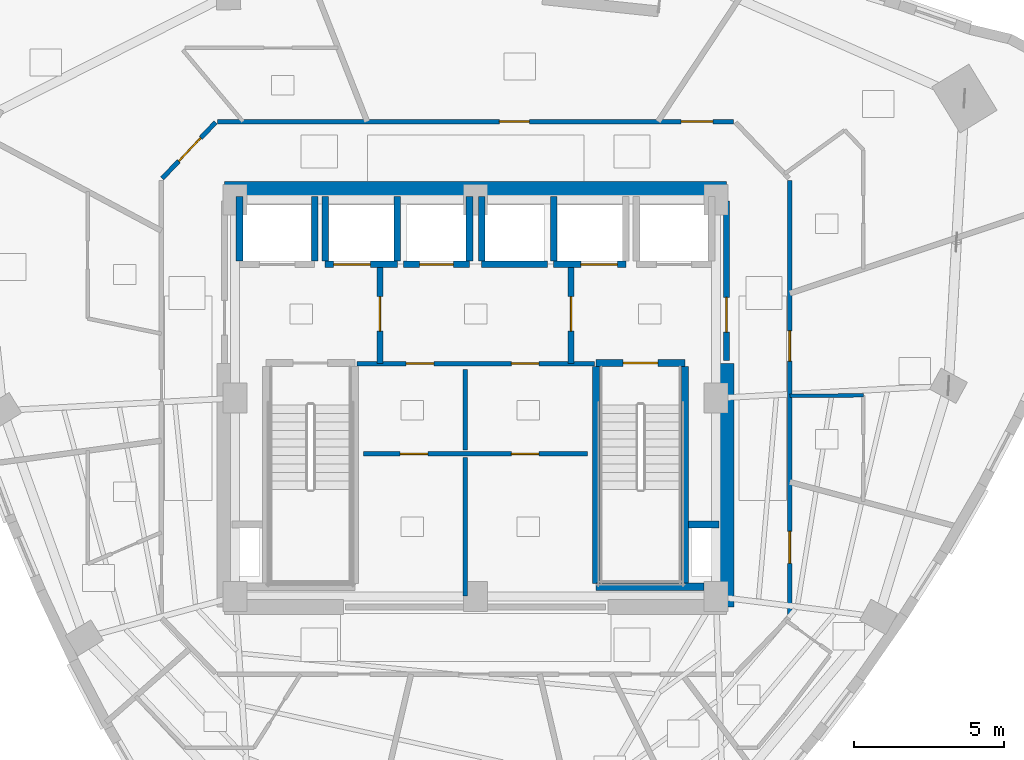
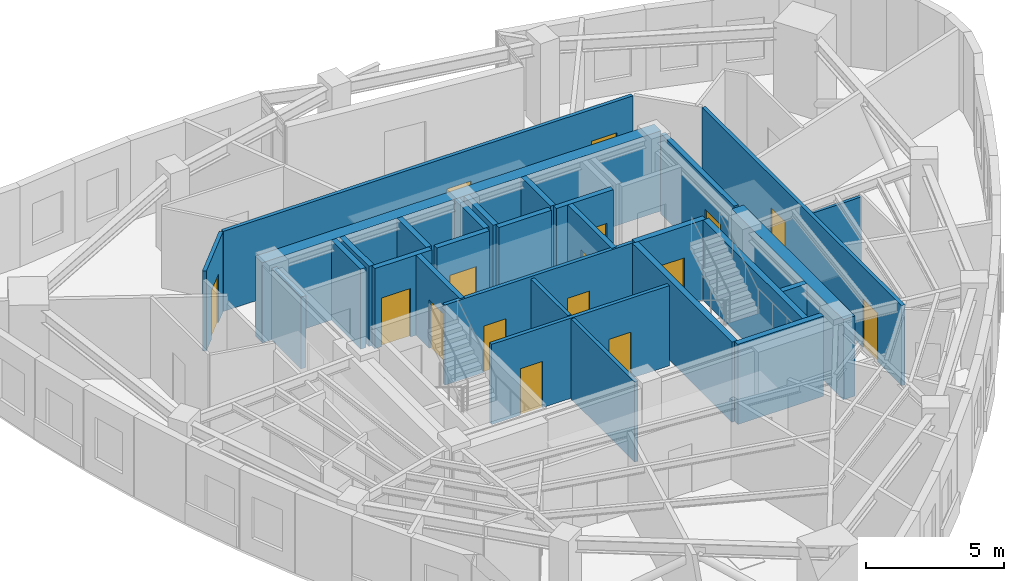
# One storey, part 7 of 12: 29 walls, 16 doors, 16 openings.
"""IFC4 building model written with IfcOpenShell, lengths in metres."""

from ifc_helpers import new_model, si_unit, direction, frame, frame_2d, origin, place, context, subcontext, project, spatial, rectangle, extrude, material, layer, layer_set, type_object, element, fill, save


model = new_model("IFC4")

# Units and contexts
model_context = context("Model", 3, precision=1e-05, world=origin(), true_north=direction((0.0, 1.0)))
body_context = subcontext(model_context, "Body", "Model", "MODEL_VIEW")
ifc_project = project(units=[si_unit("LENGTHUNIT", "METRE"), si_unit("AREAUNIT", "SQUARE_METRE"), si_unit("VOLUMEUNIT", "CUBIC_METRE"), si_unit("PLANEANGLEUNIT", "RADIAN"), si_unit("MASSUNIT", "GRAM", prefix="KILO")], contexts=[model_context])

# Site, building, storey
site_placement = place(None, origin())
site = spatial("IfcSite", under=ifc_project, at=site_placement, CompositionType="ELEMENT")
building_placement = place(site_placement, origin())
building = spatial("IfcBuilding", under=site, at=building_placement, Name="Ndelora Gate Hotel", CompositionType="ELEMENT")
storey_placement = place(building_placement, frame((0.0, 0.0, 190.35009765625)))
storey = spatial("IfcBuildingStorey", under=building, at=storey_placement, Name="L47", CompositionType="ELEMENT", Elevation=190.35009765625)

# Walls
ifc_material_1 = material(Name="Concrete C50/60", Category="concrete")
ifc_layer_1 = layer(ifc_material_1, 0.5)
ifc_layer_set_1 = layer_set([ifc_layer_1], Name="Concrete C50/60")
wall_type_1 = type_object("IfcWallType", Name="WL-CORE-500", PredefinedType="SHEAR", material=ifc_layer_set_1)
wall_1_placement = place(storey_placement, frame((-8.35009765625, 6.949951171875, 0.0), z_axis=(0.0, 0.0, 1.0), x_axis=(1.0, 0.0, 0.0)))
element("IfcWall", 1, at=wall_1_placement, inside=storey, type_object=wall_type_1, Name="L47 Core Shear Wall N", PredefinedType="SHEAR", context=body_context, shape_type="SweptSolid", body=[
    extrude(rectangle(XDim=16.7001953125, YDim=0.5, at=frame_2d((8.35009765625, 0.0))), origin(), (0.0, 0.0, 1.0), 3.5498046875),
])
wall_2_placement = place(storey_placement, frame((8.35009765625, -6.949951171875, 0.0), z_axis=(0.0, 0.0, 1.0), x_axis=(0.0, 1.0, 0.0)))
element("IfcWall", 2, at=wall_2_placement, inside=storey, type_object=wall_type_1, Name="L47 Core Shear Wall E", PredefinedType="SHEAR", context=body_context, shape_type="SweptSolid", body=[
    extrude(rectangle(XDim=8.099853515625, YDim=0.5, at=frame_2d((4.0498046875, 0.0))), origin(), (0.0, 0.0, 1.0), 3.5498046875),
])

# Wall, opening, door
ifc_material_2 = material(Name="Concrete C40/50", Category="concrete")
ifc_layer_2 = layer(ifc_material_2, 0.199951171875)
ifc_layer_set_2 = layer_set([ifc_layer_2], Name="Concrete C40/50")
wall_type_2 = type_object("IfcWallType", Name="WL-FIRE-200", PredefinedType="PARTITIONING", material=ifc_layer_set_2)
wall_3_placement = place(storey_placement, frame((-3.179931640625, 1.14990234375, 0.0), z_axis=(0.0, 0.0, 1.0), x_axis=(0.0, 1.0, 0.0)))
wall_3 = element("IfcWall", 3, at=wall_3_placement, inside=storey, type_object=wall_type_2, Name="L47 Interior Wall IW-2", PredefinedType="PARTITIONING", context=body_context, shape_type="SweptSolid", body=[
    extrude(rectangle(XDim=3.300048828125, YDim=0.199951171875, at=frame_2d((1.64990234375, 0.0))), origin(), (0.0, 0.0, 1.0), 3.5498046875),
])
opening_1_placement = place(wall_3_placement, frame((1.080078125, 0.0, 0.0)))
opening_1 = element("IfcOpeningElement", 4, at=opening_1_placement, cuts=wall_3, Name="Opening FD1", PredefinedType="OPENING", context=body_context, shape_type="SweptSolid", body=[
    extrude(rectangle(XDim=1.14990234375, YDim=2.14990234375, at=frame_2d((0.574951171875, 1.074951171875))), frame((0.0, 0.10986328125, 0.0), z_axis=(0.0, -1.0, 0.0), x_axis=(1.0, 0.0, 0.0)), (0.0, 0.0, 1.0), 0.219970703125),
])
ifc_material_3 = material(Name="Fire-Rated Timber-Veneer Steel Core", Category="steel")
door_type_1 = type_object("IfcDoorType", Name="DR-FD60", OperationType="SINGLE_SWING_LEFT", PredefinedType="DOOR", material=ifc_material_3)
door_1_placement = place(opening_1_placement, origin())
door_1 = element("IfcDoor", 5, at=door_1_placement, inside=storey, type_object=door_type_1, Name="L47 Firefighting Lobby West Door", OperationType="SINGLE_SWING_RIGHT", OverallHeight=2.14990234375, OverallWidth=1.14990234375, PredefinedType="DOOR", context=body_context, shape_type="SweptSolid", body=[
    extrude(rectangle(XDim=1.14990234375, YDim=2.14990234375, at=frame_2d((0.574951171875, 1.074951171875))), frame((0.0, 0.02490234375, 0.0), z_axis=(0.0, -1.0, 0.0), x_axis=(1.0, 0.0, 0.0)), (0.0, 0.0, 1.0), 0.050048828125),
])
fill(opening_1, door_1)

wall_4_placement = place(storey_placement, frame((3.179931640625, 1.14990234375, 0.0), z_axis=(0.0, 0.0, 1.0), x_axis=(0.0, 1.0, 0.0)))
wall_4 = element("IfcWall", 6, at=wall_4_placement, inside=storey, type_object=wall_type_2, Name="L47 Interior Wall IW-2", PredefinedType="PARTITIONING", context=body_context, shape_type="SweptSolid", body=[
    extrude(rectangle(XDim=3.300048828125, YDim=0.199951171875, at=frame_2d((1.64990234375, 0.0))), origin(), (0.0, 0.0, 1.0), 3.5498046875),
])
opening_2_placement = place(wall_4_placement, frame((1.080078125, 0.0, 0.0)))
opening_2 = element("IfcOpeningElement", 7, at=opening_2_placement, cuts=wall_4, Name="Opening FD1", PredefinedType="OPENING", context=body_context, shape_type="SweptSolid", body=[
    extrude(rectangle(XDim=1.14990234375, YDim=2.14990234375, at=frame_2d((0.574951171875, 1.074951171875))), frame((0.0, 0.10986328125, 0.0), z_axis=(0.0, -1.0, 0.0), x_axis=(1.0, 0.0, 0.0)), (0.0, 0.0, 1.0), 0.219970703125),
])
door_2_placement = place(opening_2_placement, origin())
door_2 = element("IfcDoor", 8, at=door_2_placement, inside=storey, type_object=door_type_1, Name="L47 Firefighting Lobby East Door", OperationType="SINGLE_SWING_LEFT", OverallHeight=2.14990234375, OverallWidth=1.14990234375, PredefinedType="DOOR", context=body_context, shape_type="SweptSolid", body=[
    extrude(rectangle(XDim=1.14990234375, YDim=2.14990234375, at=frame_2d((0.574951171875, 1.074951171875))), frame((0.0, 0.02490234375, 0.0), z_axis=(0.0, -1.0, 0.0), x_axis=(1.0, 0.0, 0.0)), (0.0, 0.0, 1.0), 0.050048828125),
])
fill(opening_2, door_2)

wall_5_placement = place(storey_placement, frame((8.35009765625, 1.25, 0.0), z_axis=(0.0, 0.0, 1.0), x_axis=(0.0, 1.0, 0.0)))
wall_5 = element("IfcWall", 9, at=wall_5_placement, inside=storey, type_object=wall_type_2, Name="L47 Interior Wall IW-2", PredefinedType="PARTITIONING", context=body_context, shape_type="SweptSolid", body=[
    extrude(rectangle(XDim=5.300048828125, YDim=0.199951171875, at=frame_2d((2.64990234375, 0.0))), origin(), (0.0, 0.0, 1.0), 3.5498046875),
])
opening_3_placement = place(wall_5_placement, frame((0.949951171875, 0.0, 0.0)))
opening_3 = element("IfcOpeningElement", 10, at=opening_3_placement, cuts=wall_5, Name="Opening FD1", PredefinedType="OPENING", context=body_context, shape_type="SweptSolid", body=[
    extrude(rectangle(XDim=1.14990234375, YDim=2.14990234375, at=frame_2d((0.574951171875, 1.074951171875))), frame((0.0, 0.10986328125, 0.0), z_axis=(0.0, -1.0, 0.0), x_axis=(1.0, 0.0, 0.0)), (0.0, 0.0, 1.0), 0.219970703125),
])
door_3_placement = place(opening_3_placement, origin())
door_3 = element("IfcDoor", 11, at=door_3_placement, inside=storey, type_object=door_type_1, Name="L47 Firefighting Lobby East Corridor Door", OperationType="SINGLE_SWING_RIGHT", OverallHeight=2.14990234375, OverallWidth=1.14990234375, PredefinedType="DOOR", context=body_context, shape_type="SweptSolid", body=[
    extrude(rectangle(XDim=1.14990234375, YDim=2.14990234375, at=frame_2d((0.574951171875, 1.074951171875))), frame((0.0, 0.02490234375, 0.0), z_axis=(0.0, -1.0, 0.0), x_axis=(1.0, 0.0, 0.0)), (0.0, 0.0, 1.0), 0.050048828125),
])
fill(opening_3, door_3)

# Wall, openings, doors
ifc_material_4 = material(Name="Fire-Rated Gypsum Stud Partition", Category="gypsum")
ifc_layer_3 = layer(ifc_material_4, 0.14990234375)
ifc_layer_set_3 = layer_set([ifc_layer_3], Name="Fire-Rated Gypsum Stud Partition")
wall_type_3 = type_object("IfcWallType", Name="WL-PART-150", PredefinedType="PARTITIONING", material=ifc_layer_set_3)
wall_6_placement = place(storey_placement, frame((3.949951171875, 1.14990234375, 0.0), z_axis=(0.0, 0.0, 1.0), x_axis=(-1.0, 0.0, 0.0)))
wall_6 = element("IfcWall", 12, at=wall_6_placement, inside=storey, type_object=wall_type_3, Name="L47 Interior Wall IW-5", PredefinedType="PARTITIONING", context=body_context, shape_type="SweptSolid", body=[
    extrude(rectangle(XDim=7.89990234375, YDim=0.14990234375, at=frame_2d((3.949951171875, 0.0))), origin(), (0.0, 0.0, 1.0), 3.5498046875),
])
opening_4_placement = place(wall_6_placement, frame((5.340087890625, 0.0, 0.0)))
opening_4 = element("IfcOpeningElement", 13, at=opening_4_placement, cuts=wall_6, Name="Opening D04", PredefinedType="OPENING", context=body_context, shape_type="SweptSolid", body=[
    extrude(rectangle(XDim=0.919921875, YDim=2.050048828125, at=frame_2d((0.4599609375, 1.02490234375))), frame((0.0, 0.0849609375, 0.0), z_axis=(0.0, -1.0, 0.0), x_axis=(1.0, 0.0, 0.0)), (0.0, 0.0, 1.0), 0.169921875),
])
opening_5_placement = place(wall_6_placement, frame((1.840087890625, 0.0, 0.0)))
opening_5 = element("IfcOpeningElement", 14, at=opening_5_placement, cuts=wall_6, Name="Opening D04", PredefinedType="OPENING", context=body_context, shape_type="SweptSolid", body=[
    extrude(rectangle(XDim=0.919921875, YDim=2.050048828125, at=frame_2d((0.4599609375, 1.02490234375))), frame((0.0, 0.0849609375, 0.0), z_axis=(0.0, -1.0, 0.0), x_axis=(1.0, 0.0, 0.0)), (0.0, 0.0, 1.0), 0.169921875),
])
ifc_material_5 = material(Name="Painted Steel Core Service Door", Category="steel")
door_type_2 = type_object("IfcDoorType", Name="DR-SER-920", OperationType="SINGLE_SWING_LEFT", PredefinedType="DOOR", material=ifc_material_5)
door_4_placement = place(opening_4_placement, origin())
door_4 = element("IfcDoor", 15, at=door_4_placement, inside=storey, type_object=door_type_2, Name="L47 Core Electrical Closet Door", OperationType="SINGLE_SWING_LEFT", OverallHeight=2.050048828125, OverallWidth=0.919921875, PredefinedType="DOOR", context=body_context, shape_type="SweptSolid", body=[
    extrude(rectangle(XDim=0.919921875, YDim=2.050048828125, at=frame_2d((0.4599609375, 1.02490234375))), frame((0.0, 0.02490234375, 0.0), z_axis=(0.0, -1.0, 0.0), x_axis=(1.0, 0.0, 0.0)), (0.0, 0.0, 1.0), 0.050048828125),
])
fill(opening_4, door_4)
door_5_placement = place(opening_5_placement, origin())
door_5 = element("IfcDoor", 16, at=door_5_placement, inside=storey, type_object=door_type_2, Name="L47 Comms Patching Store Door", OperationType="SINGLE_SWING_RIGHT", OverallHeight=2.050048828125, OverallWidth=0.919921875, PredefinedType="DOOR", context=body_context, shape_type="SweptSolid", body=[
    extrude(rectangle(XDim=0.919921875, YDim=2.050048828125, at=frame_2d((0.4599609375, 1.02490234375))), frame((0.0, 0.02490234375, 0.0), z_axis=(0.0, -1.0, 0.0), x_axis=(1.0, 0.0, 0.0)), (0.0, 0.0, 1.0), 0.050048828125),
])
fill(opening_5, door_5)

wall_7_placement = place(storey_placement, frame((-3.719970703125, -1.85009765625, 0.0), z_axis=(0.0, 0.0, 1.0), x_axis=(1.0, 0.0, 0.0)))
wall_7 = element("IfcWall", 17, at=wall_7_placement, inside=storey, type_object=wall_type_3, Name="L47 Interior Wall IW-5", PredefinedType="PARTITIONING", context=body_context, shape_type="SweptSolid", body=[
    extrude(rectangle(XDim=7.43994140625, YDim=0.14990234375, at=frame_2d((3.719970703125, 0.0))), origin(), (0.0, 0.0, 1.0), 3.5498046875),
])
opening_6_placement = place(wall_7_placement, frame((1.2099609375, 0.0, 0.0)))
opening_6 = element("IfcOpeningElement", 18, at=opening_6_placement, cuts=wall_7, Name="Opening D04", PredefinedType="OPENING", context=body_context, shape_type="SweptSolid", body=[
    extrude(rectangle(XDim=0.919921875, YDim=2.050048828125, at=frame_2d((0.4599609375, 1.02490234375))), frame((0.0, 0.0849609375, 0.0), z_axis=(0.0, -1.0, 0.0), x_axis=(1.0, 0.0, 0.0)), (0.0, 0.0, 1.0), 0.169921875),
])
opening_7_placement = place(wall_7_placement, frame((4.909912109375, 0.0, 0.0)))
opening_7 = element("IfcOpeningElement", 19, at=opening_7_placement, cuts=wall_7, Name="Opening D04", PredefinedType="OPENING", context=body_context, shape_type="SweptSolid", body=[
    extrude(rectangle(XDim=0.919921875, YDim=2.050048828125, at=frame_2d((0.4599609375, 1.02490234375))), frame((0.0, 0.0849609375, 0.0), z_axis=(0.0, -1.0, 0.0), x_axis=(1.0, 0.0, 0.0)), (0.0, 0.0, 1.0), 0.169921875),
])
door_6_placement = place(opening_6_placement, origin())
door_6 = element("IfcDoor", 20, at=door_6_placement, inside=storey, type_object=door_type_2, Name="L47 Core Service Internal Door", OperationType="SINGLE_SWING_LEFT", OverallHeight=2.050048828125, OverallWidth=0.919921875, PredefinedType="DOOR", context=body_context, shape_type="SweptSolid", body=[
    extrude(rectangle(XDim=0.919921875, YDim=2.050048828125, at=frame_2d((0.4599609375, 1.02490234375))), frame((0.0, 0.02490234375, 0.0), z_axis=(0.0, -1.0, 0.0), x_axis=(1.0, 0.0, 0.0)), (0.0, 0.0, 1.0), 0.050048828125),
])
fill(opening_6, door_6)
door_7_placement = place(opening_7_placement, origin())
door_7 = element("IfcDoor", 21, at=door_7_placement, inside=storey, type_object=door_type_2, Name="L47 Core Service Internal Door", OperationType="SINGLE_SWING_LEFT", OverallHeight=2.050048828125, OverallWidth=0.919921875, PredefinedType="DOOR", context=body_context, shape_type="SweptSolid", body=[
    extrude(rectangle(XDim=0.919921875, YDim=2.050048828125, at=frame_2d((0.4599609375, 1.02490234375))), frame((0.0, 0.02490234375, 0.0), z_axis=(0.0, -1.0, 0.0), x_axis=(1.0, 0.0, 0.0)), (0.0, 0.0, 1.0), 0.050048828125),
])
fill(opening_7, door_7)

# Walls
wall_8_placement = place(storey_placement, frame((-0.35009765625, -6.580078125, 0.0), z_axis=(0.0, 0.0, 1.0), x_axis=(0.0, 1.0, 0.0)))
element("IfcWall", 22, at=wall_8_placement, inside=storey, type_object=wall_type_3, Name="L47 Interior Wall IW-5", PredefinedType="PARTITIONING", context=body_context, shape_type="SweptSolid", body=[
    extrude(rectangle(XDim=4.610107421875, YDim=0.14990234375, at=frame_2d((2.30517578125, 0.0))), origin(), (0.0, 0.0, 1.0), 3.5498046875),
])
wall_9_placement = place(storey_placement, frame((-0.35009765625, -1.72998046875, 0.0), z_axis=(0.0, 0.0, 1.0), x_axis=(0.0, 1.0, 0.0)))
element("IfcWall", 23, at=wall_9_placement, inside=storey, type_object=wall_type_3, Name="L47 Interior Wall IW-5", PredefinedType="PARTITIONING", context=body_context, shape_type="SweptSolid", body=[
    extrude(rectangle(XDim=2.679931640625, YDim=0.14990234375, at=frame_2d((1.33984375, 0.0))), origin(), (0.0, 0.0, 1.0), 3.5498046875),
])

# Wall, openings, doors
wall_10_placement = place(storey_placement, frame((10.449951171875, 7.239990234375, 0.0), z_axis=(0.0, 0.0, 1.0), x_axis=(0.0, -1.0, 0.0)))
wall_10 = element("IfcWall", 24, at=wall_10_placement, inside=storey, type_object=wall_type_3, Name="L47 Interior Wall IW-5", PredefinedType="PARTITIONING", context=body_context, shape_type="SweptSolid", body=[
    extrude(rectangle(XDim=14.47998046875, YDim=0.14990234375, at=frame_2d((7.239990234375, 0.0))), origin(), (0.0, 0.0, 1.0), 3.5498046875),
])
opening_8_placement = place(wall_10_placement, frame((11.67431640625, 0.0, 0.0)))
opening_8 = element("IfcOpeningElement", 25, at=opening_8_placement, cuts=wall_10, Name="Opening D07", PredefinedType="OPENING", context=body_context, shape_type="SweptSolid", body=[
    extrude(rectangle(XDim=1.06005859375, YDim=2.14990234375, at=frame_2d((0.530029296875, 1.074951171875))), frame((0.0, 0.0849609375, 0.0), z_axis=(0.0, -1.0, 0.0), x_axis=(1.0, 0.0, 0.0)), (0.0, 0.0, 1.0), 0.169921875),
])
opening_9_placement = place(wall_10_placement, frame((5.005615234375, 0.0, 0.0)))
opening_9 = element("IfcOpeningElement", 26, at=opening_9_placement, cuts=wall_10, Name="Opening D01", PredefinedType="OPENING", context=body_context, shape_type="SweptSolid", body=[
    extrude(rectangle(XDim=1.0, YDim=2.14990234375, at=frame_2d((0.5, 1.074951171875))), frame((0.0, 0.0849609375, 0.0), z_axis=(0.0, -1.0, 0.0), x_axis=(1.0, 0.0, 0.0)), (0.0, 0.0, 1.0), 0.169921875),
])
ifc_material_6 = material(Name="Acoustic Hardwood Guest Entrance Door", Category="wood")
door_type_3 = type_object("IfcDoorType", Name="DR-COR-1000", OperationType="SINGLE_SWING_LEFT", PredefinedType="DOOR", material=ifc_material_6)
door_8_placement = place(opening_9_placement, origin())
door_8 = element("IfcDoor", 27, at=door_8_placement, inside=storey, type_object=door_type_3, Name="L47 Altitude King Guest Room 5002 Entrance Door", OperationType="SINGLE_SWING_LEFT", OverallHeight=2.14990234375, OverallWidth=1.0, PredefinedType="DOOR", context=body_context, shape_type="SweptSolid", body=[
    extrude(rectangle(XDim=1.0, YDim=2.14990234375, at=frame_2d((0.5, 1.074951171875))), frame((0.0, 0.02490234375, 0.0), z_axis=(0.0, -1.0, 0.0), x_axis=(1.0, 0.0, 0.0)), (0.0, 0.0, 1.0), 0.050048828125),
])
fill(opening_9, door_8)
ifc_material_7 = material(Name="Diplomatic Suite Acoustic Entrance Door", Category="wood")
door_type_4 = type_object("IfcDoorType", Name="DR-SUITE-1060", OperationType="SINGLE_SWING_LEFT", PredefinedType="DOOR", material=ifc_material_7)
door_9_placement = place(opening_8_placement, origin())
door_9 = element("IfcDoor", 28, at=door_9_placement, inside=storey, type_object=door_type_4, Name="L47 Panoramic Horizon Suite 5001 Entrance Door", OperationType="SINGLE_SWING_LEFT", OverallHeight=2.14990234375, OverallWidth=1.06005859375, PredefinedType="DOOR", context=body_context, shape_type="SweptSolid", body=[
    extrude(rectangle(XDim=1.06005859375, YDim=2.14990234375, at=frame_2d((0.530029296875, 1.074951171875))), frame((0.0, 0.02490234375, 0.0), z_axis=(0.0, -1.0, 0.0), x_axis=(1.0, 0.0, 0.0)), (0.0, 0.0, 1.0), 0.050048828125),
])
fill(opening_8, door_9)

wall_11_placement = place(storey_placement, frame((-8.580078125, 9.199951171875, 0.0), z_axis=(0.0, 0.0, 1.0), x_axis=(1.0, 0.0, 0.0)))
wall_11 = element("IfcWall", 29, at=wall_11_placement, inside=storey, type_object=wall_type_3, Name="L47 Interior Wall IW-5", PredefinedType="PARTITIONING", context=body_context, shape_type="SweptSolid", body=[
    extrude(rectangle(XDim=17.16015625, YDim=0.14990234375, at=frame_2d((8.580078125, 0.0))), origin(), (0.0, 0.0, 1.0), 3.5498046875),
])
opening_10_placement = place(wall_11_placement, frame((9.37060546875, 0.0, 0.0)))
opening_10 = element("IfcOpeningElement", 30, at=opening_10_placement, cuts=wall_11, Name="Opening D01", PredefinedType="OPENING", context=body_context, shape_type="SweptSolid", body=[
    extrude(rectangle(XDim=1.0, YDim=2.14990234375, at=frame_2d((0.5, 1.074951171875))), frame((0.0, 0.0849609375, 0.0), z_axis=(0.0, -1.0, 0.0), x_axis=(1.0, 0.0, 0.0)), (0.0, 0.0, 1.0), 0.169921875),
])
opening_11_placement = place(wall_11_placement, frame((15.41455078125, 0.0, 0.0)))
opening_11 = element("IfcOpeningElement", 31, at=opening_11_placement, cuts=wall_11, Name="Opening D07", PredefinedType="OPENING", context=body_context, shape_type="SweptSolid", body=[
    extrude(rectangle(XDim=1.06005859375, YDim=2.14990234375, at=frame_2d((0.530029296875, 1.074951171875))), frame((0.0, 0.0849609375, 0.0), z_axis=(0.0, -1.0, 0.0), x_axis=(1.0, 0.0, 0.0)), (0.0, 0.0, 1.0), 0.169921875),
])
door_10_placement = place(opening_10_placement, origin())
door_10 = element("IfcDoor", 32, at=door_10_placement, inside=storey, type_object=door_type_3, Name="L47 Sky Garden Tea Dining Room Entrance Door", OperationType="SINGLE_SWING_RIGHT", OverallHeight=2.14990234375, OverallWidth=1.0, PredefinedType="DOOR", context=body_context, shape_type="SweptSolid", body=[
    extrude(rectangle(XDim=1.0, YDim=2.14990234375, at=frame_2d((0.5, 1.074951171875))), frame((0.0, 0.02490234375, 0.0), z_axis=(0.0, -1.0, 0.0), x_axis=(1.0, 0.0, 0.0)), (0.0, 0.0, 1.0), 0.050048828125),
])
fill(opening_10, door_10)
door_11_placement = place(opening_11_placement, origin())
door_11 = element("IfcDoor", 33, at=door_11_placement, inside=storey, type_object=door_type_4, Name="L47 Corner Sky Suite 5003 Entrance Door", OperationType="SINGLE_SWING_RIGHT", OverallHeight=2.14990234375, OverallWidth=1.06005859375, PredefinedType="DOOR", context=body_context, shape_type="SweptSolid", body=[
    extrude(rectangle(XDim=1.06005859375, YDim=2.14990234375, at=frame_2d((0.530029296875, 1.074951171875))), frame((0.0, 0.02490234375, 0.0), z_axis=(0.0, -1.0, 0.0), x_axis=(1.0, 0.0, 0.0)), (0.0, 0.0, 1.0), 0.050048828125),
])
fill(opening_11, door_11)

# Wall, opening, door
wall_12_placement = place(storey_placement, frame((-10.42236328125, 7.30908203125, 0.0), z_axis=(0.0, 0.0, 1.0), x_axis=(0.689960858356, 0.723846678473, 0.0)))
wall_12 = element("IfcWall", 34, at=wall_12_placement, inside=storey, type_object=wall_type_3, Name="L47 Interior Wall IW-5", PredefinedType="PARTITIONING", context=body_context, shape_type="SweptSolid", body=[
    extrude(rectangle(XDim=2.572021484375, YDim=0.14990234375, at=frame_2d((1.2861328125, 0.0))), origin(), (0.0, 0.0, 1.0), 3.5498046875),
])
opening_12_placement = place(wall_12_placement, frame((0.796142578125, 0.0, 0.0)))
opening_12 = element("IfcOpeningElement", 35, at=opening_12_placement, cuts=wall_12, Name="Opening D07", PredefinedType="OPENING", context=body_context, shape_type="SweptSolid", body=[
    extrude(rectangle(XDim=1.06005859375, YDim=2.14990234375, at=frame_2d((0.530029296875, 1.074951171875))), frame((0.0, 0.0849609375, 0.0), z_axis=(0.0, -1.0, 0.0), x_axis=(1.0, 0.0, 0.0)), (0.0, 0.0, 1.0), 0.169921875),
])
door_12_placement = place(opening_12_placement, origin())
door_12 = element("IfcDoor", 36, at=door_12_placement, inside=storey, type_object=door_type_4, Name="L47 Grand Ambassador Suite 5004 Entrance Door", OperationType="SINGLE_SWING_RIGHT", OverallHeight=2.14990234375, OverallWidth=1.06005859375, PredefinedType="DOOR", context=body_context, shape_type="SweptSolid", body=[
    extrude(rectangle(XDim=1.06005859375, YDim=2.14990234375, at=frame_2d((0.530029296875, 1.074951171875))), frame((0.0, 0.02490234375, 0.0), z_axis=(0.0, -1.0, 0.0), x_axis=(1.0, 0.0, 0.0)), (0.0, 0.0, 1.0), 0.050048828125),
])
fill(opening_12, door_12)

# Walls
ifc_layer_4 = layer(ifc_material_2, 0.219970703125)
ifc_layer_set_4 = layer_set([ifc_layer_4], Name="Concrete C40/50")
wall_type_4 = type_object("IfcWallType", Name="WL-SHAFT-220", PredefinedType="PARTITIONING", material=ifc_layer_set_4)
wall_13_placement = place(storey_placement, frame((7.090087890625, -4.199951171875, 0.0), z_axis=(0.0, 0.0, 1.0), x_axis=(1.0, 0.0, 0.0)))
element("IfcWall", 37, at=wall_13_placement, inside=storey, type_object=wall_type_4, Name="L47 Interior Wall IW-1", PredefinedType="PARTITIONING", context=body_context, shape_type="SweptSolid", body=[
    extrude(rectangle(XDim=1.010009765625, YDim=0.219970703125, at=frame_2d((0.5048828125, 0.0))), origin(), (0.0, 0.0, 1.0), 3.5498046875),
])
wall_14_placement = place(storey_placement, frame((-7.85009765625, 4.570068359375, 0.0), z_axis=(0.0, 0.0, 1.0), x_axis=(0.0, 1.0, 0.0)))
element("IfcWall", 38, at=wall_14_placement, inside=storey, type_object=wall_type_4, Name="L47 Interior Wall IW-1", PredefinedType="PARTITIONING", context=body_context, shape_type="SweptSolid", body=[
    extrude(rectangle(XDim=2.1298828125, YDim=0.219970703125, at=frame_2d((1.06494140625, 0.0))), origin(), (0.0, 0.0, 1.0), 3.179931640625),
])
wall_15_placement = place(storey_placement, frame((-5.35009765625, 4.570068359375, 0.0), z_axis=(0.0, 0.0, 1.0), x_axis=(0.0, 1.0, 0.0)))
element("IfcWall", 39, at=wall_15_placement, inside=storey, type_object=wall_type_4, Name="L47 Interior Wall IW-1", PredefinedType="PARTITIONING", context=body_context, shape_type="SweptSolid", body=[
    extrude(rectangle(XDim=2.1298828125, YDim=0.219970703125, at=frame_2d((1.06494140625, 0.0))), origin(), (0.0, 0.0, 1.0), 3.5498046875),
])

# Wall, opening, door
wall_16_placement = place(storey_placement, frame((-5.0, 4.449951171875, 0.0), z_axis=(0.0, 0.0, 1.0), x_axis=(1.0, 0.0, 0.0)))
wall_16 = element("IfcWall", 40, at=wall_16_placement, inside=storey, type_object=wall_type_4, Name="L47 Interior Wall IW-1", PredefinedType="PARTITIONING", context=body_context, shape_type="SweptSolid", body=[
    extrude(rectangle(XDim=2.39990234375, YDim=0.219970703125, at=frame_2d((1.199951171875, 0.0))), origin(), (0.0, 0.0, 1.0), 3.5498046875),
])
opening_13_placement = place(wall_16_placement, frame((0.280029296875, 0.0, 0.0)))
opening_13 = element("IfcOpeningElement", 41, at=opening_13_placement, cuts=wall_16, Name="Opening LD6", PredefinedType="OPENING", context=body_context, shape_type="SweptSolid", body=[
    extrude(rectangle(XDim=1.219970703125, YDim=2.14990234375, at=frame_2d((0.60986328125, 1.074951171875))), frame((0.0, 0.1201171875, 0.0), z_axis=(0.0, -1.0, 0.0), x_axis=(1.0, 0.0, 0.0)), (0.0, 0.0, 1.0), 0.239990234375),
])
ifc_material_8 = material(Name="Heavy-Duty Service Lift Sliding Landing Door", Category="wood")
door_type_5 = type_object("IfcDoorType", Name="DR-LD6", OperationType="DOUBLE_DOOR_SLIDING", PredefinedType="DOOR", material=ifc_material_8)
door_13_placement = place(opening_13_placement, origin())
door_13 = element("IfcDoor", 42, at=door_13_placement, inside=storey, type_object=door_type_5, Name="L47 Lift Landing Sliding Door SVL1", OperationType="DOUBLE_DOOR_SLIDING", OverallHeight=2.14990234375, OverallWidth=1.219970703125, PredefinedType="DOOR", context=body_context, shape_type="SweptSolid", body=[
    extrude(rectangle(XDim=1.219970703125, YDim=2.14990234375, at=frame_2d((0.60986328125, 1.074951171875))), frame((0.0, 0.02490234375, 0.0), z_axis=(0.0, -1.0, 0.0), x_axis=(1.0, 0.0, 0.0)), (0.0, 0.0, 1.0), 0.050048828125),
])
fill(opening_13, door_13)

# Walls
for number, where, z_axis, x_axis, name in (
    (43, (-5.0, 4.570068359375, 0.0), (0.0, 0.0, 1.0), (0.0, 1.0, 0.0), "L47 Interior Wall IW-1"),
    (44, (-2.60009765625, 4.570068359375, 0.0), (0.0, 0.0, 1.0), (0.0, 1.0, 0.0), "L47 Interior Wall IW-1"),
):
    element("IfcWall", number, at=place(storey_placement, frame(where, z_axis=z_axis, x_axis=x_axis)), inside=storey, type_object=wall_type_4, Name=name, PredefinedType="PARTITIONING", context=body_context, shape_type="SweptSolid", body=[
        extrude(rectangle(XDim=2.1298828125, YDim=0.219970703125, at=frame_2d((1.06494140625, 0.0))), origin(), (0.0, 0.0, 1.0), 3.5498046875),
    ])

# Wall, opening, door
wall_17_placement = place(storey_placement, frame((2.60009765625, 4.449951171875, 0.0), z_axis=(0.0, 0.0, 1.0), x_axis=(1.0, 0.0, 0.0)))
wall_17 = element("IfcWall", 45, at=wall_17_placement, inside=storey, type_object=wall_type_4, Name="L47 Interior Wall IW-1", PredefinedType="PARTITIONING", context=body_context, shape_type="SweptSolid", body=[
    extrude(rectangle(XDim=2.39990234375, YDim=0.219970703125, at=frame_2d((1.199951171875, 0.0))), origin(), (0.0, 0.0, 1.0), 3.5498046875),
])
opening_14_placement = place(wall_17_placement, frame((0.89990234375, 0.0, 0.0)))
opening_14 = element("IfcOpeningElement", 46, at=opening_14_placement, cuts=wall_17, Name="Opening LD6", PredefinedType="OPENING", context=body_context, shape_type="SweptSolid", body=[
    extrude(rectangle(XDim=1.219970703125, YDim=2.14990234375, at=frame_2d((0.60986328125, 1.074951171875))), frame((0.0, 0.1201171875, 0.0), z_axis=(0.0, -1.0, 0.0), x_axis=(1.0, 0.0, 0.0)), (0.0, 0.0, 1.0), 0.239990234375),
])
door_14_placement = place(opening_14_placement, origin())
door_14 = element("IfcDoor", 47, at=door_14_placement, inside=storey, type_object=door_type_5, Name="L47 Lift Landing Sliding Door SVL2", OperationType="DOUBLE_DOOR_SLIDING", OverallHeight=2.14990234375, OverallWidth=1.219970703125, PredefinedType="DOOR", context=body_context, shape_type="SweptSolid", body=[
    extrude(rectangle(XDim=1.219970703125, YDim=2.14990234375, at=frame_2d((0.60986328125, 1.074951171875))), frame((0.0, 0.02490234375, 0.0), z_axis=(0.0, -1.0, 0.0), x_axis=(1.0, 0.0, 0.0)), (0.0, 0.0, 1.0), 0.050048828125),
])
fill(opening_14, door_14)

# Wall
wall_18_placement = place(storey_placement, frame((2.60009765625, 4.570068359375, 0.0), z_axis=(0.0, 0.0, 1.0), x_axis=(0.0, 1.0, 0.0)))
element("IfcWall", 48, at=wall_18_placement, inside=storey, type_object=wall_type_4, Name="L47 Interior Wall IW-1", PredefinedType="PARTITIONING", context=body_context, shape_type="SweptSolid", body=[
    extrude(rectangle(XDim=2.1298828125, YDim=0.219970703125, at=frame_2d((1.06494140625, 0.0))), origin(), (0.0, 0.0, 1.0), 3.5498046875),
])

# Wall, opening, door
wall_19_placement = place(storey_placement, frame((-2.39990234375, 4.449951171875, 0.0), z_axis=(0.0, 0.0, 1.0), x_axis=(1.0, 0.0, 0.0)))
wall_19 = element("IfcWall", 49, at=wall_19_placement, inside=storey, type_object=wall_type_4, Name="L47 Interior Wall IW-1", PredefinedType="PARTITIONING", context=body_context, shape_type="SweptSolid", body=[
    extrude(rectangle(XDim=2.199951171875, YDim=0.219970703125, at=frame_2d((1.10009765625, 0.0))), origin(), (0.0, 0.0, 1.0), 3.5498046875),
])
opening_15_placement = place(wall_19_placement, frame((0.5400390625, 0.0, 0.0)))
opening_15 = element("IfcOpeningElement", 50, at=opening_15_placement, cuts=wall_19, Name="Opening LD3", PredefinedType="OPENING", context=body_context, shape_type="SweptSolid", body=[
    extrude(rectangle(XDim=1.1201171875, YDim=2.14990234375, at=frame_2d((0.56005859375, 1.074951171875))), frame((0.0, 0.1201171875, 0.0), z_axis=(0.0, -1.0, 0.0), x_axis=(1.0, 0.0, 0.0)), (0.0, 0.0, 1.0), 0.239990234375),
])
ifc_material_9 = material(Name="Brushed Bronze Stainless Lift Landing Door", Category="metal")
door_type_6 = type_object("IfcDoorType", Name="DR-LD3", OperationType="DOUBLE_DOOR_SLIDING", PredefinedType="DOOR", material=ifc_material_9)
door_15_placement = place(opening_15_placement, origin())
door_15 = element("IfcDoor", 51, at=door_15_placement, inside=storey, type_object=door_type_6, Name="L47 Lift Landing Sliding Door P3A", OperationType="DOUBLE_DOOR_SLIDING", OverallHeight=2.14990234375, OverallWidth=1.1201171875, PredefinedType="DOOR", context=body_context, shape_type="SweptSolid", body=[
    extrude(rectangle(XDim=1.1201171875, YDim=2.14990234375, at=frame_2d((0.56005859375, 1.074951171875))), frame((0.0, 0.02490234375, 0.0), z_axis=(0.0, -1.0, 0.0), x_axis=(1.0, 0.0, 0.0)), (0.0, 0.0, 1.0), 0.050048828125),
])
fill(opening_15, door_15)

# Walls
wall_20_placement = place(storey_placement, frame((-0.199951171875, 4.570068359375, 0.0), z_axis=(0.0, 0.0, 1.0), x_axis=(0.0, 1.0, 0.0)))
element("IfcWall", 52, at=wall_20_placement, inside=storey, type_object=wall_type_4, Name="L47 Interior Wall IW-1", PredefinedType="PARTITIONING", context=body_context, shape_type="SweptSolid", body=[
    extrude(rectangle(XDim=2.1298828125, YDim=0.219970703125, at=frame_2d((1.06494140625, 0.0))), origin(), (0.0, 0.0, 1.0), 3.5498046875),
])
wall_21_placement = place(storey_placement, frame((0.199951171875, 4.449951171875, 0.0), z_axis=(0.0, 0.0, 1.0), x_axis=(1.0, 0.0, 0.0)))
element("IfcWall", 53, at=wall_21_placement, inside=storey, type_object=wall_type_4, Name="L47 Interior Wall IW-1", PredefinedType="PARTITIONING", context=body_context, shape_type="SweptSolid", body=[
    extrude(rectangle(XDim=2.199951171875, YDim=0.219970703125, at=frame_2d((1.10009765625, 0.0))), origin(), (0.0, 0.0, 1.0), 3.5498046875),
])
wall_22_placement = place(storey_placement, frame((0.199951171875, 4.570068359375, 0.0), z_axis=(0.0, 0.0, 1.0), x_axis=(0.0, 1.0, 0.0)))
element("IfcWall", 54, at=wall_22_placement, inside=storey, type_object=wall_type_4, Name="L47 Interior Wall IW-1", PredefinedType="PARTITIONING", context=body_context, shape_type="SweptSolid", body=[
    extrude(rectangle(XDim=2.1298828125, YDim=0.219970703125, at=frame_2d((1.06494140625, 0.0))), origin(), (0.0, 0.0, 1.0), 3.5498046875),
])
ifc_layer_5 = layer(ifc_material_1, 0.239990234375)
ifc_layer_set_5 = layer_set([ifc_layer_5], Name="Concrete C50/60")
wall_type_5 = type_object("IfcWallType", Name="WL-STAIR-240", PredefinedType="SHEAR", material=ifc_layer_set_5)
for number, where, z_axis, x_axis, name in (
    (55, (4.010009765625, -6.159912109375, 0.0), (0.0, 0.0, 1.0), (0.0, 1.0, 0.0), "L47 Stair Core Shear Wall SW-ST"),
    (56, (6.969970703125, -6.159912109375, 0.0), (0.0, 0.0, 1.0), (0.0, 1.0, 0.0), "L47 Stair Core Shear Wall SW-ST"),
):
    element("IfcWall", number, at=place(storey_placement, frame(where, z_axis=z_axis, x_axis=x_axis)), inside=storey, type_object=wall_type_5, Name=name, PredefinedType="SHEAR", context=body_context, shape_type="SweptSolid", body=[
        extrude(rectangle(XDim=7.219970703125, YDim=0.239990234375, at=frame_2d((3.60986328125, 0.0))), origin(), (0.0, 0.0, 1.0), 3.5498046875),
    ])
wall_23_placement = place(storey_placement, frame((4.010009765625, -6.27001953125, 0.0), z_axis=(0.0, 0.0, 1.0), x_axis=(1.0, 0.0, 0.0)))
element("IfcWall", 57, at=wall_23_placement, inside=storey, type_object=wall_type_5, Name="L47 Stair Core Shear Wall SW-ST", PredefinedType="SHEAR", context=body_context, shape_type="SweptSolid", body=[
    extrude(rectangle(XDim=3.590087890625, YDim=0.239990234375, at=frame_2d((1.794921875, 0.0))), origin(), (0.0, 0.0, 1.0), 3.5498046875),
])

# Wall, opening, door
wall_24_placement = place(storey_placement, frame((4.010009765625, 1.169921875, 0.0), z_axis=(0.0, 0.0, 1.0), x_axis=(1.0, 0.0, 0.0)))
wall_24 = element("IfcWall", 58, at=wall_24_placement, inside=storey, type_object=wall_type_5, Name="L47 Stair Core Shear Wall SW-ST", PredefinedType="SHEAR", context=body_context, shape_type="SweptSolid", body=[
    extrude(rectangle(XDim=2.9599609375, YDim=0.239990234375, at=frame_2d((1.47998046875, 0.0))), origin(), (0.0, 0.0, 1.0), 3.5498046875),
])
opening_16_placement = place(wall_24_placement, frame((0.89990234375, 0.0, 0.0)))
opening_16 = element("IfcOpeningElement", 59, at=opening_16_placement, cuts=wall_24, Name="Opening FD1", PredefinedType="OPENING", context=body_context, shape_type="SweptSolid", body=[
    extrude(rectangle(XDim=1.14990234375, YDim=2.14990234375, at=frame_2d((0.574951171875, 1.074951171875))), frame((0.0, 0.1298828125, 0.0), z_axis=(0.0, -1.0, 0.0), x_axis=(1.0, 0.0, 0.0)), (0.0, 0.0, 1.0), 0.260009765625),
])
door_16_placement = place(opening_16_placement, origin())
door_16 = element("IfcDoor", 60, at=door_16_placement, inside=storey, type_object=door_type_1, Name="L47 Exit Stair ST5 Door", OperationType="SINGLE_SWING_RIGHT", OverallHeight=2.14990234375, OverallWidth=1.14990234375, PredefinedType="DOOR", context=body_context, shape_type="SweptSolid", body=[
    extrude(rectangle(XDim=1.14990234375, YDim=2.14990234375, at=frame_2d((0.574951171875, 1.074951171875))), frame((0.0, 0.02490234375, 0.0), z_axis=(0.0, -1.0, 0.0), x_axis=(1.0, 0.0, 0.0)), (0.0, 0.0, 1.0), 0.050048828125),
])
fill(opening_16, door_16)

# Wall
ifc_material_10 = material(Name="Moisture-Resistant Bathroom Tile Partition", Category="gypsum")
ifc_layer_6 = layer(ifc_material_10, 0.1201171875)
ifc_layer_set_6 = layer_set([ifc_layer_6], Name="Moisture-Resistant Bathroom Tile Partition")
wall_type_6 = type_object("IfcWallType", Name="WL-WET-120", PredefinedType="PARTITIONING", material=ifc_layer_set_6)
wall_25_placement = place(storey_placement, frame((10.449951171875, 0.075439453125, 0.0), z_axis=(0.0, 0.0, 1.0), x_axis=(0.999974261486, 0.007174703221, 0.0)))
element("IfcWall", 61, at=wall_25_placement, inside=storey, type_object=wall_type_6, Name="L47 Interior Wall IW-7", PredefinedType="PARTITIONING", context=body_context, shape_type="SweptSolid", body=[
    extrude(rectangle(XDim=2.449951171875, YDim=0.1201171875, at=frame_2d((1.22509765625, 0.0))), origin(), (0.0, 0.0, 1.0), 3.079833984375),
])

save(model, "model.ifc")
